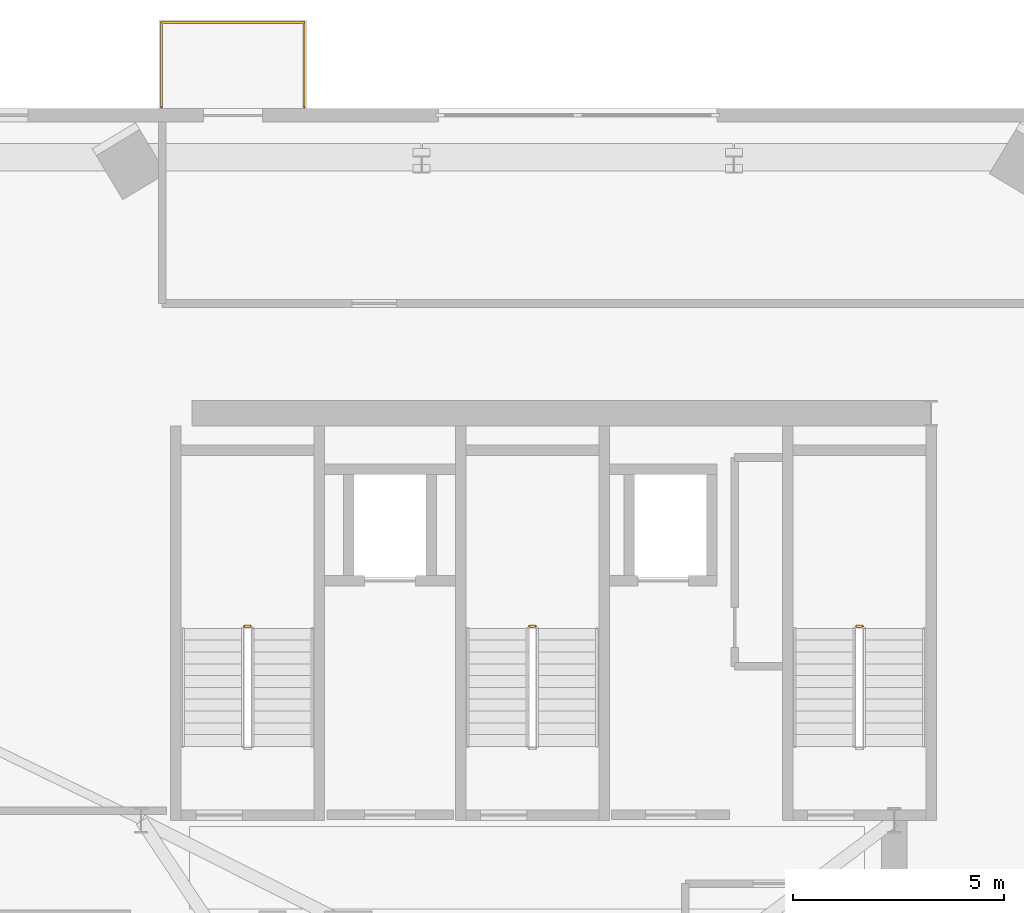
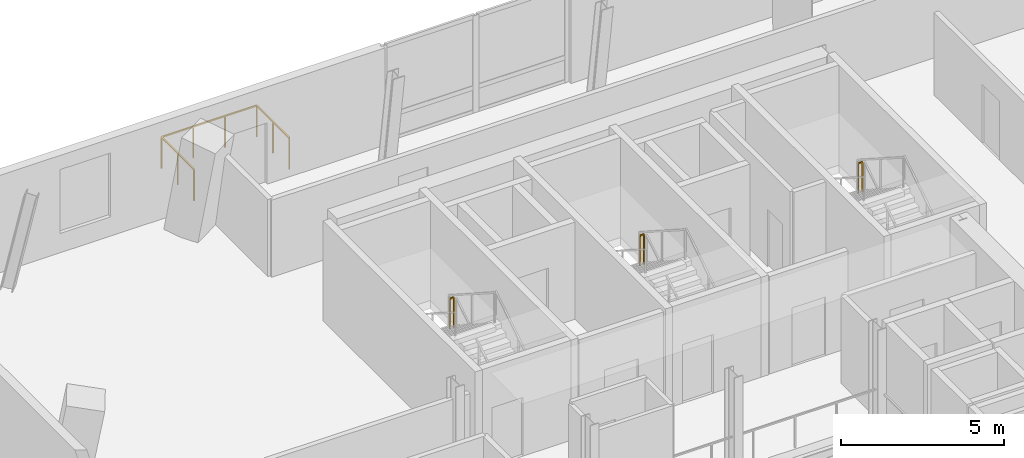
# One storey, part 15 of 15: 4 railings.
"""IFC4 building model written with IfcOpenShell, lengths in metres."""

from ifc_helpers import new_model, si_unit, direction, frame, origin, origin_2d, place, context, subcontext, project, spatial, rectangle, extrude, source, transform, mapped, material, type_object, element, save


model = new_model("IFC4")

# Units and contexts
model_context = context("Model", 3, precision=1e-05, world=origin(), true_north=direction((0.0, 1.0)))
body_context = subcontext(model_context, "Body", "Model", "MODEL_VIEW")
ifc_project = project(units=[si_unit("LENGTHUNIT", "METRE"), si_unit("AREAUNIT", "SQUARE_METRE"), si_unit("VOLUMEUNIT", "CUBIC_METRE"), si_unit("PLANEANGLEUNIT", "RADIAN"), si_unit("MASSUNIT", "GRAM", prefix="KILO")], contexts=[model_context])

# Site, building, storey
site_placement = place(None, origin())
site = spatial("IfcSite", under=ifc_project, at=site_placement, CompositionType="ELEMENT")
building_placement = place(site_placement, origin())
building = spatial("IfcBuilding", under=site, at=building_placement, Name="Vardaveli Station Tower", CompositionType="ELEMENT")
storey_placement = place(building_placement, frame((0.0, 0.0, 262.449951171875)))
storey = spatial("IfcBuildingStorey", under=building, at=storey_placement, Name="L67", CompositionType="ELEMENT", Elevation=262.449951171875)

# Railings
ifc_material_1 = material(Name="Laminated glass and stainless steel balustrade", Category="steel")
railing_type_1 = type_object("IfcRailingType", Name="RL-BAL-1200", PredefinedType="BALUSTRADE", material=ifc_material_1)
shared_shape_1 = source(origin(), body_context, "Body", "SweptSolid", [
    extrude(rectangle(XDim=0.048095703125, YDim=0.048095703125, at=origin_2d()), frame((0.0, 0.0, 1.17578125), z_axis=(0.0, 1.0, 0.0), x_axis=(-1.0, 0.0, 0.0)), (0.0, 0.0, 1.0), 2.0),
    extrude(rectangle(XDim=0.048095703125, YDim=0.048095703125, at=origin_2d()), frame((0.0, 2.0, 1.17578125), z_axis=(1.0, 0.0, 0.0), x_axis=(0.0, 1.0, 0.0)), (0.0, 0.0, 1.0), 3.380126953125),
    extrude(rectangle(XDim=0.048095703125, YDim=0.048095703125, at=origin_2d()), frame((3.380126953125, 2.0, 1.17578125), z_axis=(0.0, -1.0, 0.0), x_axis=(1.0, 0.0, 0.0)), (0.0, 0.0, 1.0), 2.0),
    extrude(rectangle(XDim=0.0419921875, YDim=0.0419921875, at=origin_2d()), origin(), (0.0, 0.0, 1.0), 1.15185546875),
    extrude(rectangle(XDim=0.0419921875, YDim=0.0419921875, at=origin_2d()), frame((0.0, 1.0, 0.0)), (0.0, 0.0, 1.0), 1.15185546875),
    extrude(rectangle(XDim=0.0419921875, YDim=0.0419921875, at=origin_2d()), frame((0.0, 2.0, 0.0)), (0.0, 0.0, 1.0), 1.15185546875),
    extrude(rectangle(XDim=0.0419921875, YDim=0.0419921875, at=origin_2d()), frame((1.126708984375, 2.0, 0.0)), (0.0, 0.0, 1.0), 1.15185546875),
    extrude(rectangle(XDim=0.0419921875, YDim=0.0419921875, at=origin_2d()), frame((2.25341796875, 2.0, 0.0)), (0.0, 0.0, 1.0), 1.15185546875),
    extrude(rectangle(XDim=0.0419921875, YDim=0.0419921875, at=origin_2d()), frame((3.380126953125, 2.0, 0.0)), (0.0, 0.0, 1.0), 1.15185546875),
    extrude(rectangle(XDim=0.0419921875, YDim=0.0419921875, at=origin_2d()), frame((3.380126953125, 1.0, 0.0)), (0.0, 0.0, 1.0), 1.15185546875),
    extrude(rectangle(XDim=0.0419921875, YDim=0.0419921875, at=origin_2d()), frame((3.380126953125, 0.0, 0.0)), (0.0, 0.0, 1.0), 1.15185546875),
])
railing_placement = place(storey_placement, frame((29.135009765625, 47.56005859375, 0.0)))
element("IfcRailing", 1, at=railing_placement, inside=storey, type_object=railing_type_1, Name="RL-LOG-L67-02", PredefinedType="BALUSTRADE", context=body_context, shape_type="MappedRepresentation", body=[
    mapped(shared_shape_1, transform((0.0, 0.0, 0.0), scale=1.0)),
])
ifc_material_2 = material(Name="Brushed AISI 316 stainless steel", Category="steel")
railing_type_2 = type_object("IfcRailingType", Name="RL-GUARD-1150", PredefinedType="GUARDRAIL", material=ifc_material_2)
shared_shape_2 = source(origin(), body_context, "Body", "SweptSolid", [
    extrude(rectangle(XDim=0.048095703125, YDim=0.048095703125, at=origin_2d()), frame((0.0, 0.0, 1.1259765625), z_axis=(-1.0, 0.0, 0.0), x_axis=(0.0, -1.0, 0.0)), (0.0, 0.0, 1.0), 0.14990234375),
    extrude(rectangle(XDim=0.0419921875, YDim=0.0419921875, at=origin_2d()), origin(), (0.0, 0.0, 1.0), 1.101806640625),
    extrude(rectangle(XDim=0.0419921875, YDim=0.0419921875, at=origin_2d()), frame((-0.14990234375, 0.0, 0.0)), (0.0, 0.0, 1.0), 1.101806640625),
])
for number, where, name in (
    (2, (31.25, 35.25, 1.97509765625), "L67 ST-1 stair guard 2"),
    (3, (38.0, 35.25, 1.97509765625), "L67 ST-2 stair guard 2"),
    (4, (45.75, 35.25, 1.97509765625), "L67 ST-3 stair guard 2"),
):
    element("IfcRailing", number, at=place(storey_placement, frame(where)), inside=storey, type_object=railing_type_2, Name=name, PredefinedType="GUARDRAIL", context=body_context, shape_type="MappedRepresentation", body=[
        mapped(shared_shape_2, transform((0.0, 0.0, 0.0), scale=1.0)),
    ])

save(model, "model.ifc")
